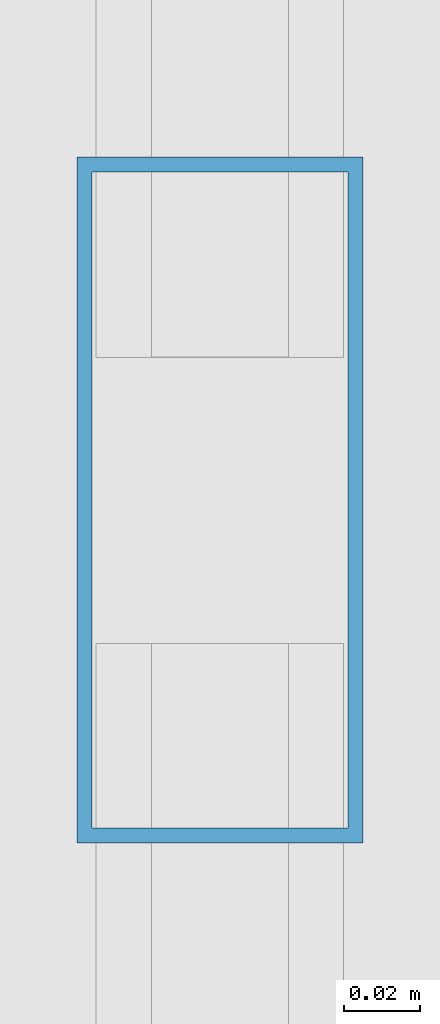
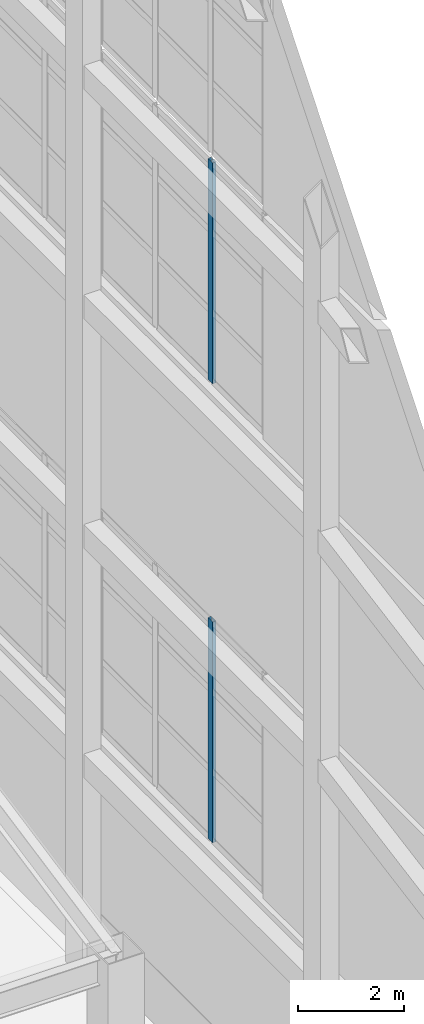
# One storey, part 26 of 47: 2 members, 2 elements without a shape of their own.
"""IFC4 building model written with IfcOpenShell, lengths in metres."""

from ifc_helpers import new_model, si_unit, direction, frame, origin, origin_2d, place, context, subcontext, project, spatial, hollow_rectangle, extrude, material, layer, layer_set, material_profile, profile_set, type_object, element, aggregate, save


model = new_model("IFC4")

# Units and contexts
model_context = context("Model", 3, precision=1e-05, world=origin(), true_north=direction((0.0, 1.0)))
body_context = subcontext(model_context, "Body", "Model", "MODEL_VIEW")
ifc_project = project(units=[si_unit("LENGTHUNIT", "METRE"), si_unit("AREAUNIT", "SQUARE_METRE"), si_unit("VOLUMEUNIT", "CUBIC_METRE"), si_unit("PLANEANGLEUNIT", "RADIAN"), si_unit("MASSUNIT", "GRAM", prefix="KILO")], contexts=[model_context])

# Site, building, storey
site_placement = place(None, origin())
site = spatial("IfcSite", under=ifc_project, at=site_placement, CompositionType="ELEMENT")
building_placement = place(site_placement, origin())
building = spatial("IfcBuilding", under=site, at=building_placement, Name="Qiaolan Cultural Towers", CompositionType="ELEMENT")
storey_placement = place(building_placement, frame((0.0, 0.0, 280.199951171875)))
storey = spatial("IfcBuildingStorey", under=building, at=storey_placement, Name="RF", CompositionType="ELEMENT", Elevation=280.199951171875)

# Curtain wall, member
ifc_material_1 = material(Name="Unitized Anodized Aluminium Curtain Wall System", Category="aluminium")
ifc_layer = layer(ifc_material_1, 0.199951171875)
ifc_layer_set = layer_set([ifc_layer], Name="Unitized Anodized Aluminium Curtain Wall System")
curtain_wall_type = type_object("IfcCurtainWallType", Name="CWS-06", PredefinedType="NOTDEFINED", material=ifc_layer_set)
curtain_wall_1_placement = place(storey_placement, origin())
curtain_wall_1 = element("IfcCurtainWall", 1, at=curtain_wall_1_placement, inside=storey, type_object=curtain_wall_type, Name="T1 Crown Tier 2 Fritted Screen Curtain Wall 3", PredefinedType="NOTDEFINED")
ifc_material_2 = material(Name="Extruded Aluminium 6063-T6", Category="aluminium")
ifc_material_profile = material_profile(ifc_material_2, hollow_rectangle(XDim=0.074951171875, YDim=0.179931640625, WallThickness=0.00390625, at=origin_2d()), Name="CWM-180x75x4")
ifc_profile_set = profile_set([ifc_material_profile], Name="Extruded Aluminium 6063-T6")
member_type = type_object("IfcMemberType", Name="CWS-06-MUL", PredefinedType="MULLION", material=ifc_profile_set)
member_1_placement = place(storey_placement, frame((45.050048828125, 29.820068359375, 5.400146484375), z_axis=(0.0, 0.0, 1.0), x_axis=(-1.0, 0.0, 0.0)))
member_1 = element("IfcMember", 2, at=member_1_placement, type_object=member_type, Name="CW-6 mullion 2", PredefinedType="MULLION", context=body_context, shape_type="SweptSolid", body=[
    extrude(hollow_rectangle(XDim=0.074951171875, YDim=0.179931640625, WallThickness=0.00390625, at=origin_2d()), origin(), (0.0, 0.0, 1.0), 5.099853515625),
])
aggregate(curtain_wall_1, [member_1])

curtain_wall_2_placement = place(storey_placement, origin())
curtain_wall_2 = element("IfcCurtainWall", 3, at=curtain_wall_2_placement, inside=storey, type_object=curtain_wall_type, Name="T1 Crown Tier 4 Fritted Screen Curtain Wall 3", PredefinedType="NOTDEFINED")
member_2_placement = place(storey_placement, frame((45.050048828125, 29.820068359375, 16.0), z_axis=(0.0, 0.0, 1.0), x_axis=(-1.0, 0.0, 0.0)))
member_2 = element("IfcMember", 4, at=member_2_placement, type_object=member_type, Name="CW-6 mullion 2", PredefinedType="MULLION", context=body_context, shape_type="SweptSolid", body=[
    extrude(hollow_rectangle(XDim=0.074951171875, YDim=0.179931640625, WallThickness=0.00390625, at=origin_2d()), origin(), (0.0, 0.0, 1.0), 5.10009765625),
])
aggregate(curtain_wall_2, [member_2])

save(model, "model.ifc")
